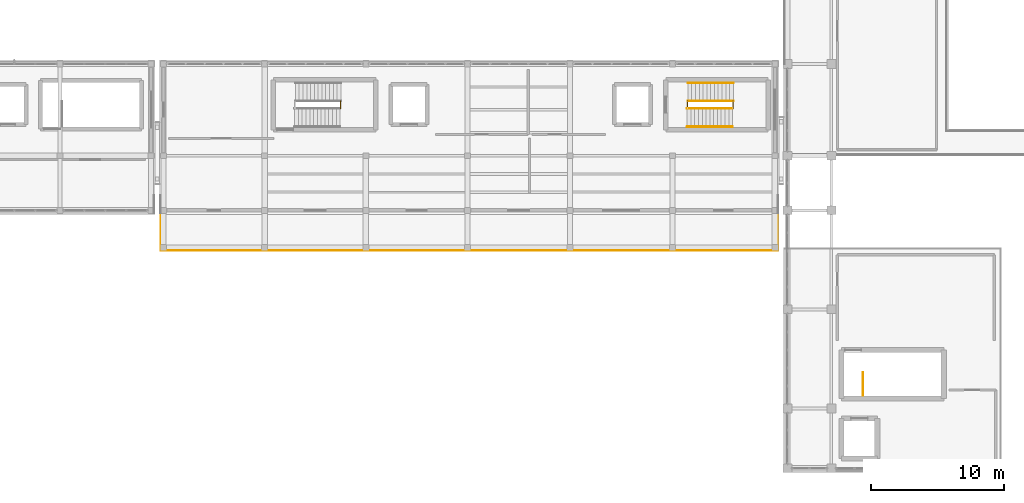
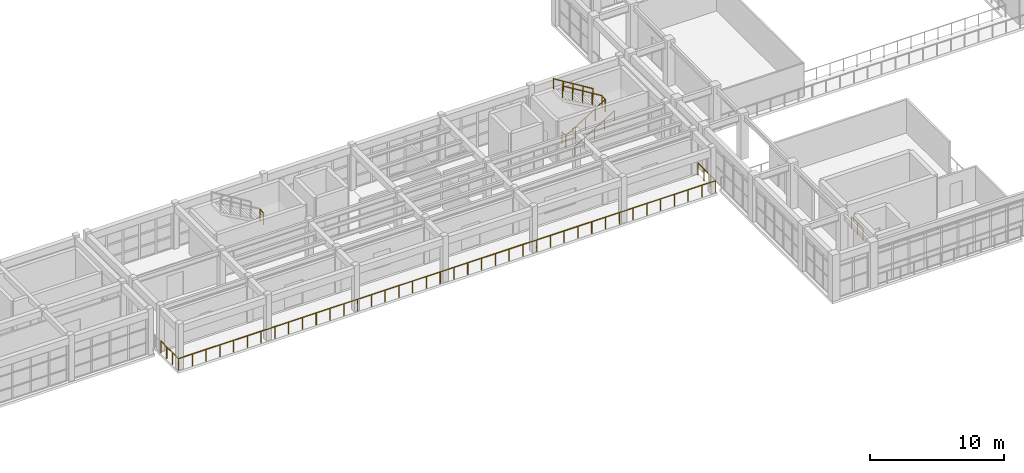
# One storey, part 62 of 66: 9 railings.
"""IFC4 building model written with IfcOpenShell, lengths in metres."""

import ifcopenshell
import ifcopenshell.guid

model = None  # the IFC model being written
_history = None  # IfcOwnerHistory: only IFC2X3 demands one
_inside = {}  # id of a spatial element -> (the spatial element, [elements in it])
_under = {}  # id of a project, library or spatial element -> (it, [spatial elements below it])
_declared = {}  # id of a project -> (the project, [libraries it declares])
_typed = {}  # id of a type object -> (the type object, [elements of that type])
_made_of = {}  # id of a material, layer set ... -> (it, [elements and type objects made of it])


def new_model(schema):
    """Start an empty IFC model of exactly this schema.

    Asked for "IFC4X3", IfcOpenShell would pick the latest addendum, in which some entities
    have other attributes; the version numbers below select the first issue.
    IFC2X3 requires an IfcOwnerHistory on every rooted entity: one is made here for all.
    """
    global model, _history
    if schema == "IFC4X3":
        model = ifcopenshell.file(schema_version=(4, 3, 0, 0))
    else:
        model = ifcopenshell.file(schema=schema)
    _inside.clear()
    _under.clear()
    _declared.clear()
    _typed.clear()
    _made_of.clear()
    _history = None
    if model.schema == "IFC2X3":
        org = make("IfcOrganization", Name="unknown")
        user = make(
            "IfcPersonAndOrganization",
            ThePerson=make("IfcPerson", FamilyName="unknown"),
            TheOrganization=org,
        )
        app = make(
            "IfcApplication",
            ApplicationDeveloper=org,
            Version="unknown",
            ApplicationFullName="unknown",
            ApplicationIdentifier="unknown",
        )
        _history = make(
            "IfcOwnerHistory",
            OwningUser=user,
            OwningApplication=app,
            ChangeAction="ADDED",
            CreationDate=0,
        )
    return model


def make(cls, **values):
    """One entity of the class cls with the attributes given. An attribute that is None is left unset."""
    return model.create_entity(
        cls, **{name: value for name, value in values.items() if value is not None}
    )


def rooted(cls, **values):
    """An entity with a GlobalId (a new one), such as an element, a storey or a relation."""
    return make(cls, GlobalId=ifcopenshell.guid.new(), OwnerHistory=_history, **values)


def si_unit(unit_type, name, prefix=None):
    """IfcSIUnit, for example si_unit("LENGTHUNIT", "METRE", prefix="MILLI")."""
    return make("IfcSIUnit", UnitType=unit_type, Prefix=prefix, Name=name)


def assignment(units):
    """IfcUnitAssignment: the units of a project."""
    return None if units is None else make("IfcUnitAssignment", Units=units)


def point(xyz):
    """IfcCartesianPoint."""
    return None if xyz is None else make("IfcCartesianPoint", Coordinates=xyz)


def direction(xyz):
    """IfcDirection."""
    return None if xyz is None else make("IfcDirection", DirectionRatios=xyz)


def frame(location, z_axis=None, x_axis=None):
    """IfcAxis2Placement3D, a coordinate frame: its origin and axes. An axis left out is left unset."""
    return make(
        "IfcAxis2Placement3D",
        Location=point(location),
        Axis=direction(z_axis),
        RefDirection=direction(x_axis),
    )


def frame_2d(location, x_axis=None):
    """IfcAxis2Placement2D, a coordinate frame in the plane: its origin and x axis."""
    return make(
        "IfcAxis2Placement2D", Location=point(location), RefDirection=direction(x_axis)
    )


def origin():
    """The frame at (0, 0, 0) with its axes left unset."""
    return frame((0.0, 0.0, 0.0))


def origin_2d():
    """The frame at (0, 0) in the plane with its x axis left unset."""
    return frame_2d((0.0, 0.0))


def place(relative_to, where):
    """IfcLocalPlacement: puts the frame where relative to a parent placement (None: the world)."""
    return make(
        "IfcLocalPlacement", PlacementRelTo=relative_to, RelativePlacement=where
    )


def context(
    kind, dimensions, precision=None, world=None, true_north=None, identifier=None
):
    """IfcGeometricRepresentationContext, for example the 3D "Model" context."""
    return make(
        "IfcGeometricRepresentationContext",
        ContextIdentifier=identifier,
        ContextType=kind,
        CoordinateSpaceDimension=dimensions,
        Precision=precision,
        WorldCoordinateSystem=world,
        TrueNorth=true_north,
    )


def subcontext(parent, identifier, kind, view, scale=None):
    """IfcGeometricRepresentationSubContext, for example "Body" below "Model"."""
    return make(
        "IfcGeometricRepresentationSubContext",
        ContextIdentifier=identifier,
        ContextType=kind,
        ParentContext=parent,
        TargetScale=scale,
        TargetView=view,
    )


def project(units=None, contexts=None):
    """IfcProject with its units and contexts."""
    return rooted(
        "IfcProject",
        Name="project",
        RepresentationContexts=contexts,
        UnitsInContext=assignment(units),
    )


def spatial(cls, under=None, at=None, **own):
    """A site, building, storey or space (cls), placed at a placement, below another one or the project."""
    s = rooted(cls, ObjectPlacement=at, **own)
    if under is not None:
        _under.setdefault(under.id(), (under, []))[1].append(s)
    return s


def profile(cls, at=None, kind="AREA", **sizes):
    """A parametric profile (cls). Its sizes go by their IFC names, for example OverallWidth=200.0."""
    return make(cls, ProfileType=kind, Position=at, **sizes)


def circle(**sizes):
    """IfcCircleProfileDef."""
    return profile("IfcCircleProfileDef", **sizes)


def extrude(swept, where, along, depth):
    """IfcExtrudedAreaSolid: the profile swept, set in the frame where, extruded along a direction by depth."""
    return make(
        "IfcExtrudedAreaSolid",
        SweptArea=swept,
        Position=where,
        ExtrudedDirection=direction(along),
        Depth=depth,
    )


def shape(context_of_items, identifier, shape_type, items):
    """IfcShapeRepresentation: the items that make up one representation, for example the "Body"."""
    return make(
        "IfcShapeRepresentation",
        ContextOfItems=context_of_items,
        RepresentationIdentifier=identifier,
        RepresentationType=shape_type,
        Items=items,
    )


def material(Name=None, Category=None):
    """IfcMaterial."""
    return make("IfcMaterial", Name=Name, Category=Category)


def made_of(thing, what):
    """Note that an element or type object is made of a material, layer set ...; save() writes the relation."""
    if what is not None:
        _made_of.setdefault(what.id(), (what, []))[1].append(thing)
    return thing


def type_object(cls, material=None, **own):
    """A type object (cls), such as IfcWallType, which elements share."""
    return made_of(rooted(cls, **own), material)


def element(
    cls,
    number,
    at=None,
    inside=None,
    cuts=None,
    type_object=None,
    material=None,
    context=None,
    identifier="Body",
    shape_type=None,
    held_by="IfcProductDefinitionShape",
    body=None,
    shapes=None,
    **own,
):
    """One element of the class cls, such as IfcWall. Its Tag is "e" and its number.

    at: its placement. inside: the storey or other place that contains it. cuts: it is an
    opening in that element (IfcRelVoidsElement). A single representation is given by context,
    identifier, shape_type and body (its items); several are given by shapes. held_by: the class
    of the entity that holds the representations. save() writes the other relations.
    """
    e = rooted(cls, Tag="e%d" % number, ObjectPlacement=at, **own)
    if body is not None:
        shapes = [shape(context, identifier, shape_type, body)]
    if shapes is not None:
        e.Representation = make(held_by, Representations=shapes)
    if inside is not None:
        _inside.setdefault(inside.id(), (inside, []))[1].append(e)
    if cuts is not None:
        rooted(
            "IfcRelVoidsElement", RelatingBuildingElement=cuts, RelatedOpeningElement=e
        )
    if type_object is not None:
        _typed.setdefault(type_object.id(), (type_object, []))[1].append(e)
    return made_of(e, material)


def aggregate(whole, parts):
    """IfcRelAggregates: a whole, such as a stair, and the parts it consists of."""
    return rooted("IfcRelAggregates", RelatingObject=whole, RelatedObjects=parts)


def save(model, path):
    """Write the relations noted so far, then the file.

    IfcRelAggregates (storeys below a building ...), IfcRelContainedInSpatialStructure (elements
    in a storey), IfcRelDefinesByType, IfcRelAssociatesMaterial and IfcRelDeclares: one each for
    every whole, place, type object, material and project.
    """
    for whole, parts in _under.values():
        aggregate(whole, parts)
    for where, things in _inside.values():
        rooted(
            "IfcRelContainedInSpatialStructure",
            RelatedElements=things,
            RelatingStructure=where,
        )
    for kind, things in _typed.values():
        rooted("IfcRelDefinesByType", RelatedObjects=things, RelatingType=kind)
    for what, things in _made_of.values():
        rooted("IfcRelAssociatesMaterial", RelatedObjects=things, RelatingMaterial=what)
    for by, libraries in _declared.values():
        rooted("IfcRelDeclares", RelatingContext=by, RelatedDefinitions=libraries)
    model.write(path)


model = new_model("IFC4")

# Units and contexts
model_context = context("Model", 3, precision=1e-05, world=origin(), true_north=direction((0.0, 1.0)))
body_context = subcontext(model_context, "Body", "Model", "MODEL_VIEW")
ifc_project = project(units=[si_unit("LENGTHUNIT", "METRE"), si_unit("AREAUNIT", "SQUARE_METRE"), si_unit("VOLUMEUNIT", "CUBIC_METRE"), si_unit("PLANEANGLEUNIT", "RADIAN"), si_unit("MASSUNIT", "GRAM", prefix="KILO")], contexts=[model_context])

# Site, building, storey
site_placement = place(None, origin())
site = spatial("IfcSite", under=ifc_project, at=site_placement, CompositionType="ELEMENT")
building_placement = place(site_placement, origin())
building = spatial("IfcBuilding", under=site, at=building_placement, Name="Candilejo Ridge Gondola Terminal", CompositionType="ELEMENT")
storey_placement = place(building_placement, frame((0.0, 0.0, 14.39990234375)))
storey = spatial("IfcBuildingStorey", under=building, at=storey_placement, Name="L03", CompositionType="ELEMENT", Elevation=14.39990234375)

# Railings
ifc_material_1 = material(Name="Hot-dip galvanised steel ASTM A500 Grade B", Category="steel")
railing_type_1 = type_object("IfcRailingType", Name="ARC-GUARD-BALUSTRADE-1150", PredefinedType="BALUSTRADE", material=ifc_material_1)
railing_1_placement = place(storey_placement, frame((86.800048828125, 25.320068359375, 0.0)))
element("IfcRailing", 1, at=railing_1_placement, inside=storey, type_object=railing_type_1, Name="Dining terrace balustrade L03", PredefinedType="BALUSTRADE", context=body_context, shape_type="SweptSolid", body=[
    extrude(circle(Radius=0.02392578125, at=origin_2d()), frame((0.0, 0.0, 1.076171875), z_axis=(0.0, -1.0, 0.0), x_axis=(1.0, 0.0, 0.0)), (0.0, 0.0, 1.0), 2.64013671875),
    extrude(circle(Radius=0.02392578125, at=origin_2d()), frame((0.0, -2.64013671875, 1.076171875), z_axis=(1.0, 0.0, 0.0), x_axis=(0.0, 1.0, 0.0)), (0.0, 0.0, 1.0), 46.349853515625),
    extrude(circle(Radius=0.02392578125, at=origin_2d()), frame((46.349853515625, -2.64013671875, 1.076171875), z_axis=(0.0, 1.0, 0.0), x_axis=(-1.0, 0.0, 0.0)), (0.0, 0.0, 1.0), 2.64013671875),
    extrude(circle(Radius=0.02099609375, at=origin_2d()), origin(), (0.0, 0.0, 1.0), 1.052001953125),
    extrude(circle(Radius=0.02099609375, at=origin_2d()), frame((0.0, -0.880126953125, 0.0)), (0.0, 0.0, 1.0), 1.052001953125),
    extrude(circle(Radius=0.02099609375, at=origin_2d()), frame((0.0, -1.760009765625, 0.0)), (0.0, 0.0, 1.0), 1.052001953125),
    extrude(circle(Radius=0.02099609375, at=origin_2d()), frame((0.0, -2.64013671875, 0.0)), (0.0, 0.0, 1.0), 1.052001953125),
    extrude(circle(Radius=0.02099609375, at=origin_2d()), frame((1.1884765625, -2.64013671875, 0.0)), (0.0, 0.0, 1.0), 1.052001953125),
    extrude(circle(Radius=0.02099609375, at=origin_2d()), frame((2.376953125, -2.64013671875, 0.0)), (0.0, 0.0, 1.0), 1.052001953125),
    extrude(circle(Radius=0.02099609375, at=origin_2d()), frame((3.5654296875, -2.64013671875, 0.0)), (0.0, 0.0, 1.0), 1.052001953125),
    extrude(circle(Radius=0.02099609375, at=origin_2d()), frame((4.75390625, -2.64013671875, 0.0)), (0.0, 0.0, 1.0), 1.052001953125),
    extrude(circle(Radius=0.02099609375, at=origin_2d()), frame((5.9423828125, -2.64013671875, 0.0)), (0.0, 0.0, 1.0), 1.052001953125),
    extrude(circle(Radius=0.02099609375, at=origin_2d()), frame((7.130859375, -2.64013671875, 0.0)), (0.0, 0.0, 1.0), 1.052001953125),
    extrude(circle(Radius=0.02099609375, at=origin_2d()), frame((8.319091796875, -2.64013671875, 0.0)), (0.0, 0.0, 1.0), 1.052001953125),
    extrude(circle(Radius=0.02099609375, at=origin_2d()), frame((9.507568359375, -2.64013671875, 0.0)), (0.0, 0.0, 1.0), 1.052001953125),
    extrude(circle(Radius=0.02099609375, at=origin_2d()), frame((10.696044921875, -2.64013671875, 0.0)), (0.0, 0.0, 1.0), 1.052001953125),
    extrude(circle(Radius=0.02099609375, at=origin_2d()), frame((11.884521484375, -2.64013671875, 0.0)), (0.0, 0.0, 1.0), 1.052001953125),
    extrude(circle(Radius=0.02099609375, at=origin_2d()), frame((13.072998046875, -2.64013671875, 0.0)), (0.0, 0.0, 1.0), 1.052001953125),
    extrude(circle(Radius=0.02099609375, at=origin_2d()), frame((14.261474609375, -2.64013671875, 0.0)), (0.0, 0.0, 1.0), 1.052001953125),
    extrude(circle(Radius=0.02099609375, at=origin_2d()), frame((15.449951171875, -2.64013671875, 0.0)), (0.0, 0.0, 1.0), 1.052001953125),
    extrude(circle(Radius=0.02099609375, at=origin_2d()), frame((16.638427734375, -2.64013671875, 0.0)), (0.0, 0.0, 1.0), 1.052001953125),
    extrude(circle(Radius=0.02099609375, at=origin_2d()), frame((17.826904296875, -2.64013671875, 0.0)), (0.0, 0.0, 1.0), 1.052001953125),
    extrude(circle(Radius=0.02099609375, at=origin_2d()), frame((19.015380859375, -2.64013671875, 0.0)), (0.0, 0.0, 1.0), 1.052001953125),
    extrude(circle(Radius=0.02099609375, at=origin_2d()), frame((20.203857421875, -2.64013671875, 0.0)), (0.0, 0.0, 1.0), 1.052001953125),
    extrude(circle(Radius=0.02099609375, at=origin_2d()), frame((21.392333984375, -2.64013671875, 0.0)), (0.0, 0.0, 1.0), 1.052001953125),
    extrude(circle(Radius=0.02099609375, at=origin_2d()), frame((22.580810546875, -2.64013671875, 0.0)), (0.0, 0.0, 1.0), 1.052001953125),
    extrude(circle(Radius=0.02099609375, at=origin_2d()), frame((23.76904296875, -2.64013671875, 0.0)), (0.0, 0.0, 1.0), 1.052001953125),
    extrude(circle(Radius=0.02099609375, at=origin_2d()), frame((24.95751953125, -2.64013671875, 0.0)), (0.0, 0.0, 1.0), 1.052001953125),
    extrude(circle(Radius=0.02099609375, at=origin_2d()), frame((26.14599609375, -2.64013671875, 0.0)), (0.0, 0.0, 1.0), 1.052001953125),
    extrude(circle(Radius=0.02099609375, at=origin_2d()), frame((27.33447265625, -2.64013671875, 0.0)), (0.0, 0.0, 1.0), 1.052001953125),
    extrude(circle(Radius=0.02099609375, at=origin_2d()), frame((28.52294921875, -2.64013671875, 0.0)), (0.0, 0.0, 1.0), 1.052001953125),
    extrude(circle(Radius=0.02099609375, at=origin_2d()), frame((29.71142578125, -2.64013671875, 0.0)), (0.0, 0.0, 1.0), 1.052001953125),
    extrude(circle(Radius=0.02099609375, at=origin_2d()), frame((30.89990234375, -2.64013671875, 0.0)), (0.0, 0.0, 1.0), 1.052001953125),
    extrude(circle(Radius=0.02099609375, at=origin_2d()), frame((32.08837890625, -2.64013671875, 0.0)), (0.0, 0.0, 1.0), 1.052001953125),
    extrude(circle(Radius=0.02099609375, at=origin_2d()), frame((33.27685546875, -2.64013671875, 0.0)), (0.0, 0.0, 1.0), 1.052001953125),
    extrude(circle(Radius=0.02099609375, at=origin_2d()), frame((34.46533203125, -2.64013671875, 0.0)), (0.0, 0.0, 1.0), 1.052001953125),
    extrude(circle(Radius=0.02099609375, at=origin_2d()), frame((35.65380859375, -2.64013671875, 0.0)), (0.0, 0.0, 1.0), 1.052001953125),
    extrude(circle(Radius=0.02099609375, at=origin_2d()), frame((36.84228515625, -2.64013671875, 0.0)), (0.0, 0.0, 1.0), 1.052001953125),
    extrude(circle(Radius=0.02099609375, at=origin_2d()), frame((38.03076171875, -2.64013671875, 0.0)), (0.0, 0.0, 1.0), 1.052001953125),
    extrude(circle(Radius=0.02099609375, at=origin_2d()), frame((39.218994140625, -2.64013671875, 0.0)), (0.0, 0.0, 1.0), 1.052001953125),
    extrude(circle(Radius=0.02099609375, at=origin_2d()), frame((40.407470703125, -2.64013671875, 0.0)), (0.0, 0.0, 1.0), 1.052001953125),
    extrude(circle(Radius=0.02099609375, at=origin_2d()), frame((41.595947265625, -2.64013671875, 0.0)), (0.0, 0.0, 1.0), 1.052001953125),
    extrude(circle(Radius=0.02099609375, at=origin_2d()), frame((42.784423828125, -2.64013671875, 0.0)), (0.0, 0.0, 1.0), 1.052001953125),
    extrude(circle(Radius=0.02099609375, at=origin_2d()), frame((43.972900390625, -2.64013671875, 0.0)), (0.0, 0.0, 1.0), 1.052001953125),
    extrude(circle(Radius=0.02099609375, at=origin_2d()), frame((45.161376953125, -2.64013671875, 0.0)), (0.0, 0.0, 1.0), 1.052001953125),
    extrude(circle(Radius=0.02099609375, at=origin_2d()), frame((46.349853515625, -2.64013671875, 0.0)), (0.0, 0.0, 1.0), 1.052001953125),
    extrude(circle(Radius=0.02099609375, at=origin_2d()), frame((46.349853515625, -1.760009765625, 0.0)), (0.0, 0.0, 1.0), 1.052001953125),
    extrude(circle(Radius=0.02099609375, at=origin_2d()), frame((46.349853515625, -0.880126953125, 0.0)), (0.0, 0.0, 1.0), 1.052001953125),
    extrude(circle(Radius=0.02099609375, at=origin_2d()), frame((46.349853515625, 0.0, 0.0)), (0.0, 0.0, 1.0), 1.052001953125),
])
ifc_material_2 = material(Name="Hot-dip galvanised steel ASTM A500 Grade B", Category="steel")
railing_type_2 = type_object("IfcRailingType", Name="ARC-STAIR-GUARD-1100", PredefinedType="GUARDRAIL", material=ifc_material_2)
for number, where, name in (
    (2, (100.300048828125, 33.347412109375, 2.10009765625), "Half-landing slot guard ST-V3A-LND-04"),
    (3, (126.3798828125, 33.347412109375, 0.0), "Arrival well guard ST-V3B-L02-ARR-L03"),
):
    element("IfcRailing", number, at=place(storey_placement, frame(where)), inside=storey, type_object=railing_type_2, Name=name, PredefinedType="GUARDRAIL", context=body_context, shape_type="SweptSolid", body=[
        extrude(circle(Radius=0.02392578125, at=origin_2d()), frame((0.0, 0.0, 1.076171875), z_axis=(0.0, 1.0, 0.0), x_axis=(-1.0, 0.0, 0.0)), (0.0, 0.0, 1.0), 0.55517578125),
        extrude(circle(Radius=0.02099609375, at=origin_2d()), origin(), (0.0, 0.0, 1.0), 1.052001953125),
        extrude(circle(Radius=0.02099609375, at=origin_2d()), frame((0.0, 0.55517578125, 0.0)), (0.0, 0.0, 1.0), 1.052001953125),
    ])
railing_2_placement = place(storey_placement, frame((126.35009765625, 33.347412109375, 0.0)))
element("IfcRailing", 4, at=railing_2_placement, inside=storey, type_object=railing_type_2, Name="Flight well guard ST-V3B-F07", PredefinedType="GUARDRAIL", context=body_context, shape_type="SweptSolid", body=[
    extrude(circle(Radius=0.02392578125, at=origin_2d()), frame((0.0, 0.0, 1.076171875), z_axis=(0.852155044755, 0.0, 0.523289384279), x_axis=(0.0, 1.0, 0.0)), (0.0, 0.0, 1.0), 4.01318359375),
    extrude(circle(Radius=0.02099609375, at=origin_2d()), origin(), (0.0, 0.0, 1.0), 1.052001953125),
    extrude(circle(Radius=0.02099609375, at=origin_2d()), frame((0.85498046875, 0.0, 0.52490234375)), (0.0, 0.0, 1.0), 1.052001953125),
    extrude(circle(Radius=0.02099609375, at=origin_2d()), frame((1.7099609375, 0.0, 1.050048828125)), (0.0, 0.0, 1.0), 1.052001953125),
    extrude(circle(Radius=0.02099609375, at=origin_2d()), frame((2.56494140625, 0.0, 1.5751953125)), (0.0, 0.0, 1.0), 1.052001953125),
    extrude(circle(Radius=0.02099609375, at=origin_2d()), frame((3.419921875, 0.0, 2.10009765625)), (0.0, 0.0, 1.0), 1.052001953125),
])
railing_3_placement = place(storey_placement, frame((129.800048828125, 33.347412109375, 2.10009765625)))
element("IfcRailing", 5, at=railing_3_placement, inside=storey, type_object=railing_type_2, Name="Half-landing slot guard ST-V3B-LND-04", PredefinedType="GUARDRAIL", context=body_context, shape_type="SweptSolid", body=[
    extrude(circle(Radius=0.02392578125, at=origin_2d()), frame((0.0, 0.0, 1.076171875), z_axis=(0.0, 1.0, 0.0), x_axis=(-1.0, 0.0, 0.0)), (0.0, 0.0, 1.0), 0.55517578125),
    extrude(circle(Radius=0.02099609375, at=origin_2d()), origin(), (0.0, 0.0, 1.0), 1.052001953125),
    extrude(circle(Radius=0.02099609375, at=origin_2d()), frame((0.0, 0.55517578125, 0.0)), (0.0, 0.0, 1.0), 1.052001953125),
])
railing_4_placement = place(storey_placement, frame((129.830078125, 33.902587890625, 2.10009765625)))
element("IfcRailing", 6, at=railing_4_placement, inside=storey, type_object=railing_type_2, Name="Flight well guard ST-V3B-F08", PredefinedType="GUARDRAIL", context=body_context, shape_type="SweptSolid", body=[
    extrude(circle(Radius=0.02392578125, at=origin_2d()), frame((0.0, 0.0, 1.076171875), z_axis=(-0.852171701593, 0.0, 0.523262258341), x_axis=(0.0, -1.0, 0.0)), (0.0, 0.0, 1.0), 4.013427734375),
    extrude(circle(Radius=0.02099609375, at=origin_2d()), origin(), (0.0, 0.0, 1.0), 1.052001953125),
    extrude(circle(Radius=0.02099609375, at=origin_2d()), frame((-0.85498046875, 0.0, 0.52490234375)), (0.0, 0.0, 1.0), 1.052001953125),
    extrude(circle(Radius=0.02099609375, at=origin_2d()), frame((-1.7099609375, 0.0, 1.050048828125)), (0.0, 0.0, 1.0), 1.052001953125),
    extrude(circle(Radius=0.02099609375, at=origin_2d()), frame((-2.565185546875, 0.0, 1.5751953125)), (0.0, 0.0, 1.0), 1.052001953125),
    extrude(circle(Radius=0.02099609375, at=origin_2d()), frame((-3.420166015625, 0.0, 2.10009765625)), (0.0, 0.0, 1.0), 1.052001953125),
])
railing_5_placement = place(storey_placement, frame((139.580078125, 11.784912109375, 0.0)))
element("IfcRailing", 7, at=railing_5_placement, inside=storey, type_object=railing_type_2, Name="Arrival well guard ST-V4A-L02-ARR-L03", PredefinedType="GUARDRAIL", context=body_context, shape_type="SweptSolid", body=[
    extrude(circle(Radius=0.02392578125, at=origin_2d()), frame((0.0, 0.0, 1.076171875), z_axis=(0.0, 1.0, 0.0), x_axis=(-1.0, 0.0, 0.0)), (0.0, 0.0, 1.0), 1.72998046875),
    extrude(circle(Radius=0.02099609375, at=origin_2d()), origin(), (0.0, 0.0, 1.0), 1.052001953125),
    extrude(circle(Radius=0.02099609375, at=origin_2d()), frame((0.0, 0.864990234375, 0.0)), (0.0, 0.0, 1.0), 1.052001953125),
    extrude(circle(Radius=0.02099609375, at=origin_2d()), frame((0.0, 1.72998046875, 0.0)), (0.0, 0.0, 1.0), 1.052001953125),
])
ifc_material_3 = material(Name="Brushed stainless steel AISI 316", Category="steel")
railing_type_3 = type_object("IfcRailingType", Name="ARC-STAIR-HANDRAIL-920", PredefinedType="HANDRAIL", material=ifc_material_3)
railing_6_placement = place(storey_placement, frame((126.35009765625, 31.9775390625, 0.0)))
element("IfcRailing", 8, at=railing_6_placement, inside=storey, type_object=railing_type_3, Name="Wall handrail ST-V3B-F07", PredefinedType="HANDRAIL", context=body_context, shape_type="SweptSolid", body=[
    extrude(circle(Radius=0.02392578125, at=origin_2d()), frame((0.0, 0.0, 0.89599609375), z_axis=(0.852155044755, 0.0, 0.523289384279), x_axis=(0.0, 1.0, 0.0)), (0.0, 0.0, 1.0), 4.01318359375),
    extrude(circle(Radius=0.02099609375, at=origin_2d()), origin(), (0.0, 0.0, 1.0), 0.871826171875),
    extrude(circle(Radius=0.02099609375, at=origin_2d()), frame((0.85498046875, 0.0, 0.52490234375)), (0.0, 0.0, 1.0), 0.871826171875),
    extrude(circle(Radius=0.02099609375, at=origin_2d()), frame((1.7099609375, 0.0, 1.050048828125)), (0.0, 0.0, 1.0), 0.871826171875),
    extrude(circle(Radius=0.02099609375, at=origin_2d()), frame((2.56494140625, 0.0, 1.5751953125)), (0.0, 0.0, 1.0), 0.871826171875),
    extrude(circle(Radius=0.02099609375, at=origin_2d()), frame((3.419921875, 0.0, 2.10009765625)), (0.0, 0.0, 1.0), 0.871826171875),
])
railing_7_placement = place(storey_placement, frame((129.830078125, 35.2724609375, 2.10009765625)))
element("IfcRailing", 9, at=railing_7_placement, inside=storey, type_object=railing_type_3, Name="Wall handrail ST-V3B-F08", PredefinedType="HANDRAIL", context=body_context, shape_type="SweptSolid", body=[
    extrude(circle(Radius=0.02392578125, at=origin_2d()), frame((0.0, 0.0, 0.89599609375), z_axis=(-0.852171701593, 0.0, 0.523262258341), x_axis=(0.0, -1.0, 0.0)), (0.0, 0.0, 1.0), 4.013427734375),
    extrude(circle(Radius=0.02099609375, at=origin_2d()), origin(), (0.0, 0.0, 1.0), 0.871826171875),
    extrude(circle(Radius=0.02099609375, at=origin_2d()), frame((-0.85498046875, 0.0, 0.52490234375)), (0.0, 0.0, 1.0), 0.871826171875),
    extrude(circle(Radius=0.02099609375, at=origin_2d()), frame((-1.7099609375, 0.0, 1.050048828125)), (0.0, 0.0, 1.0), 0.871826171875),
    extrude(circle(Radius=0.02099609375, at=origin_2d()), frame((-2.565185546875, 0.0, 1.5751953125)), (0.0, 0.0, 1.0), 0.871826171875),
    extrude(circle(Radius=0.02099609375, at=origin_2d()), frame((-3.420166015625, 0.0, 2.10009765625)), (0.0, 0.0, 1.0), 0.871826171875),
])

save(model, "model.ifc")
